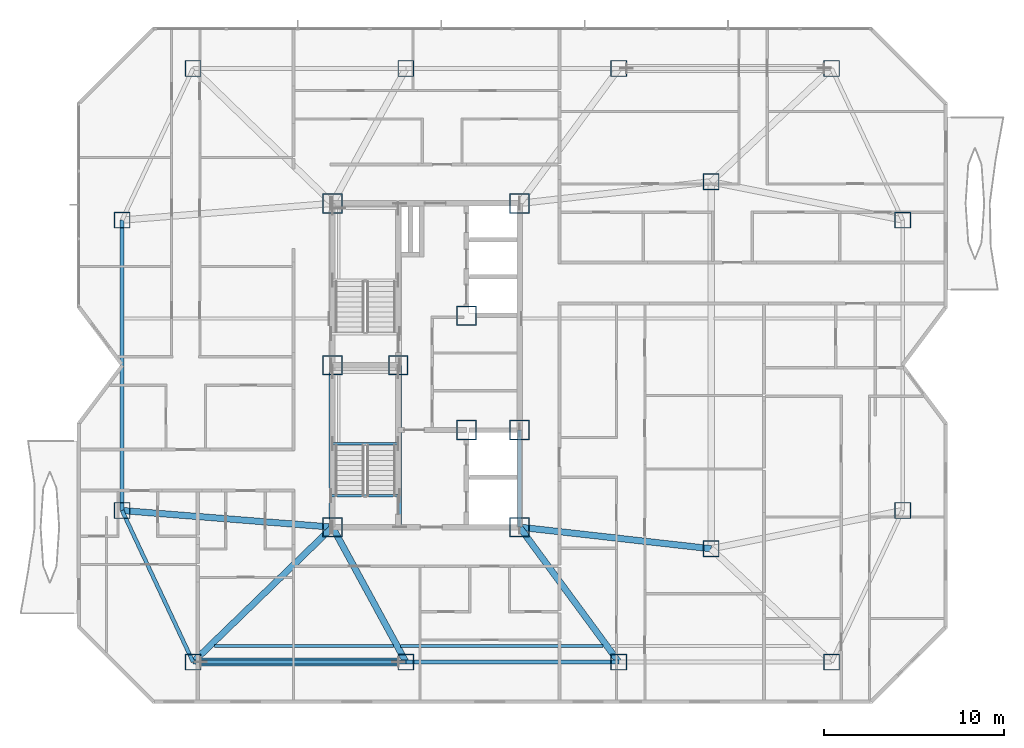
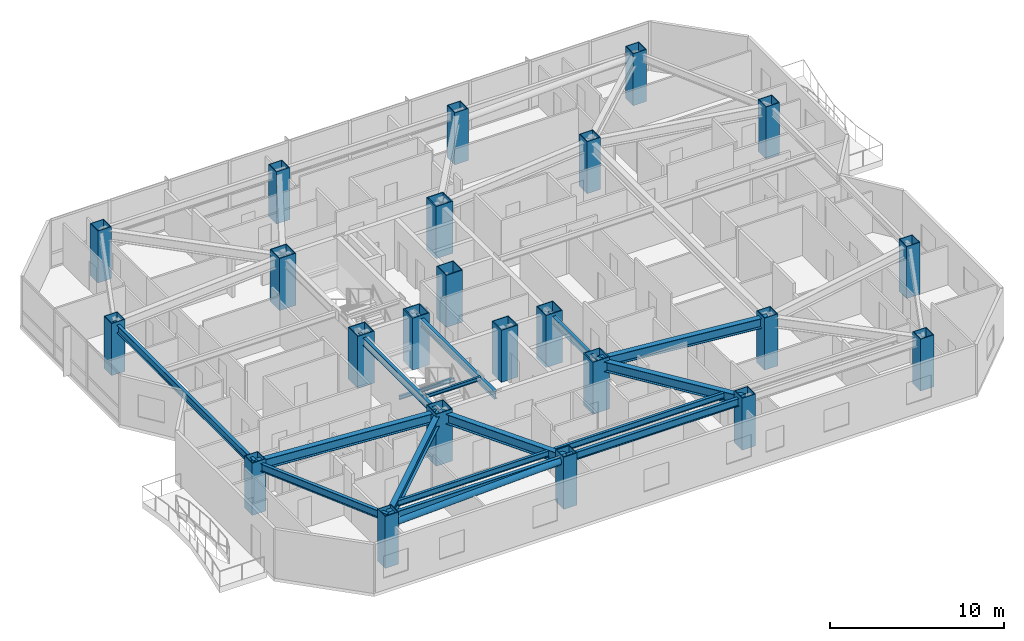
# One storey, part 1 of 21: 23 columns, 16 beams, 1 member.
"""IFC4 building model written with IfcOpenShell, lengths in metres."""

from ifc_helpers import new_model, si_unit, direction, frame, origin, origin_2d, place, context, subcontext, project, spatial, hollow_rectangle, hollow_circle, i_section, extrude, material, material_profile, profile_set, type_object, element, save


model = new_model("IFC4")

# Units and contexts
model_context = context("Model", 3, precision=1e-05, world=origin(), true_north=direction((0.0, 1.0)))
body_context = subcontext(model_context, "Body", "Model", "MODEL_VIEW")
ifc_project = project(units=[si_unit("LENGTHUNIT", "METRE"), si_unit("AREAUNIT", "SQUARE_METRE"), si_unit("VOLUMEUNIT", "CUBIC_METRE"), si_unit("PLANEANGLEUNIT", "RADIAN"), si_unit("MASSUNIT", "GRAM", prefix="KILO")], contexts=[model_context])

# Site, building, storey
site_placement = place(None, origin())
site = spatial("IfcSite", under=ifc_project, at=site_placement, CompositionType="ELEMENT")
building_placement = place(site_placement, origin())
building = spatial("IfcBuilding", under=site, at=building_placement, Name="Khamvora Tower", CompositionType="ELEMENT")
storey_placement = place(building_placement, frame((0.0, 0.0, 159.550048828125)))
storey = spatial("IfcBuildingStorey", under=building, at=storey_placement, Name="L40", CompositionType="ELEMENT", Elevation=159.550048828125)

# Columns
ifc_material_1 = material(Name="Steel S460", Category="steel")
ifc_material_profile_1 = material_profile(ifc_material_1, hollow_rectangle(XDim=1.10009765625, YDim=1.10009765625, WallThickness=0.054931640625, at=origin_2d()), Name="BOX1100x1100x55")
ifc_profile_set_1 = profile_set([ifc_material_profile_1], Name="Steel S460")
column_type_1 = type_object("IfcColumnType", Name="COL-BOX1100", PredefinedType="COLUMN", material=ifc_profile_set_1)
for number, where, z_axis, x_axis, name in (
    (1, (29.0, 19.0, 0.0), (0.0, 0.0, 1.0), (1.0, 0.0, 0.0), "L40 plumb core spine column SC1"),
    (2, (32.64990234375, 28.0, 0.0), (0.0, 0.0, 1.0), (1.0, 0.0, 0.0), "L40 plumb core spine column SC2"),
    (3, (39.39990234375, 19.0, 0.0), (0.0, 0.0, 1.0), (1.0, 0.0, 0.0), "L40 plumb core spine column SC3"),
    (4, (29.0, 28.0, 0.0), (0.0, 0.0, 1.0), (1.0, 0.0, 0.0), "L40 plumb core spine column SC4"),
    (5, (36.449951171875, 24.39990234375, 0.0), (0.0, 0.0, 1.0), (1.0, 0.0, 0.0), "L40 plumb core spine column SC5"),
    (6, (39.39990234375, 24.39990234375, 0.0), (0.0, 0.0, 1.0), (1.0, 0.0, 0.0), "L40 plumb core spine column SC6"),
    (7, (29.0, 37.0, 0.0), (0.0, 0.0, 1.0), (1.0, 0.0, 0.0), "L40 plumb core spine column SC7"),
    (8, (36.449951171875, 30.75, 0.0), (0.0, 0.0, 1.0), (1.0, 0.0, 0.0), "L40 plumb core spine column SC8"),
    (9, (39.39990234375, 37.0, 0.0), (0.0, 0.0, 1.0), (1.0, 0.0, 0.0), "L40 plumb core spine column SC9"),
):
    element("IfcColumn", number, at=place(storey_placement, frame(where, z_axis=z_axis, x_axis=x_axis)), inside=storey, type_object=column_type_1, Name=name, PredefinedType="COLUMN", context=body_context, shape_type="SweptSolid", body=[
        extrude(hollow_rectangle(XDim=1.10009765625, YDim=1.10009765625, WallThickness=0.054931640625, at=origin_2d()), origin(), (0.0, 0.0, 1.0), 3.64990234375),
    ])
ifc_material_2 = material(Name="Steel S355", Category="steel")
ifc_material_profile_2 = material_profile(ifc_material_2, hollow_rectangle(XDim=0.89990234375, YDim=0.89990234375, WallThickness=0.044921875, at=origin_2d()), Name="BOX900x900x45")
ifc_profile_set_2 = profile_set([ifc_material_profile_2], Name="Steel S355")
column_type_2 = type_object("IfcColumnType", Name="COL-BOX900", PredefinedType="COLUMN", material=ifc_profile_set_2)
for number, where, z_axis, x_axis, name in (
    (10, (21.25, 11.5, 0.0), (0.0, 0.0, 1.0), (1.0, 0.0, 0.0), "L40 structural frame column S1"),
    (11, (33.0830078125, 11.5, 0.0), (0.0, 0.0, 1.0), (1.0, 0.0, 0.0), "L40 structural frame column S2"),
    (12, (44.9169921875, 11.5, 0.0), (0.0, 0.0, 1.0), (1.0, 0.0, 0.0), "L40 structural frame column S3"),
    (13, (56.75, 11.5, 0.0), (0.0, 0.0, 1.0), (1.0, 0.0, 0.0), "L40 structural frame column S4"),
    (14, (21.25, 44.5, 0.0), (0.0, 0.0, 1.0), (1.0, 0.0, 0.0), "L40 structural frame column N1"),
    (15, (33.0830078125, 44.5, 0.0), (0.0, 0.0, 1.0), (1.0, 0.0, 0.0), "L40 structural frame column N2"),
    (16, (44.9169921875, 44.5, 0.0), (0.0, 0.0, 1.0), (1.0, 0.0, 0.0), "L40 structural frame column N3"),
    (17, (56.75, 44.5, 0.0), (0.0, 0.0, 1.0), (1.0, 0.0, 0.0), "L40 structural frame column N4"),
    (18, (17.300048828125, 19.925048828125, 0.0), (0.0, 0.0, 1.0), (1.0, 0.0, 0.0), "L40 structural frame column W1"),
    (19, (17.300048828125, 36.074951171875, 0.0), (0.0, 0.0, 1.0), (1.0, 0.0, 0.0), "L40 structural frame column W2"),
    (20, (60.699951171875, 19.925048828125, 0.0), (0.0, 0.0, 1.0), (1.0, 0.0, 0.0), "L40 structural frame column E1"),
    (21, (60.699951171875, 36.074951171875, 0.0), (0.0, 0.0, 1.0), (1.0, 0.0, 0.0), "L40 structural frame column E2"),
    (22, (50.050048828125, 17.800048828125, 0.0), (0.0, 0.0, 1.0), (1.0, 0.0, 0.0), "L40 structural frame column M1"),
    (23, (50.050048828125, 38.199951171875, 0.0), (0.0, 0.0, 1.0), (1.0, 0.0, 0.0), "L40 structural frame column M2"),
):
    element("IfcColumn", number, at=place(storey_placement, frame(where, z_axis=z_axis, x_axis=x_axis)), inside=storey, type_object=column_type_2, Name=name, PredefinedType="COLUMN", context=body_context, shape_type="SweptSolid", body=[
        extrude(hollow_rectangle(XDim=0.89990234375, YDim=0.89990234375, WallThickness=0.044921875, at=origin_2d()), origin(), (0.0, 0.0, 1.0), 3.64990234375),
    ])

# Beams
ifc_material_profile_3 = material_profile(ifc_material_2, i_section(OverallWidth=0.177978515625, OverallDepth=0.406982421875, WebThickness=0.008056640625, FlangeThickness=0.012939453125, FilletRadius=0.010009765625, at=origin_2d()), Name="W410x60")
ifc_profile_set_3 = profile_set([ifc_material_profile_3], Name="Steel S355")
beam_type_1 = type_object("IfcBeamType", Name="BM-JS-W410x60", PredefinedType="JOIST", material=ifc_profile_set_3)
beam_1_placement = place(storey_placement, frame((22.429931640625, 12.39990234375, 3.225830078125), z_axis=(1.0, 0.0, 0.0), x_axis=(0.0, 1.0, 0.0)))
element("IfcBeam", 24, at=beam_1_placement, inside=storey, type_object=beam_type_1, Name="L40 secondary floor joist 01", PredefinedType="JOIST", context=body_context, shape_type="SweptSolid", body=[
    extrude(i_section(OverallWidth=0.177978515625, OverallDepth=0.406982421875, WebThickness=0.008056640625, FlangeThickness=0.012939453125, FilletRadius=0.010009765625, at=origin_2d()), origin(), (0.0, 0.0, 1.0), 9.966064453125),
])
beam_2_placement = place(storey_placement, frame((32.7900390625, 12.39990234375, 3.225830078125), z_axis=(1.0, 0.0, 0.0), x_axis=(0.0, 1.0, 0.0)))
element("IfcBeam", 25, at=beam_2_placement, inside=storey, type_object=beam_type_1, Name="L40 secondary floor joist 02", PredefinedType="JOIST", context=body_context, shape_type="SweptSolid", body=[
    extrude(i_section(OverallWidth=0.177978515625, OverallDepth=0.406982421875, WebThickness=0.008056640625, FlangeThickness=0.012939453125, FilletRadius=0.010009765625, at=origin_2d()), origin(), (0.0, 0.0, 1.0), 11.25),
])
ifc_material_profile_4 = material_profile(ifc_material_2, i_section(OverallWidth=0.14697265625, OverallDepth=0.261962890625, WebThickness=0.007080078125, FlangeThickness=0.010986328125, FilletRadius=0.008056640625, at=origin_2d()), Name="W250x39")
ifc_profile_set_4 = profile_set([ifc_material_profile_4], Name="Steel S355")
beam_type_2 = type_object("IfcBeamType", Name="BM-LN-W250x39", PredefinedType="LINTEL", material=ifc_profile_set_4)
beam_3_placement = place(storey_placement, frame((29.0, 23.635009765625, 1.493896484375), z_axis=(1.0, 0.0, 0.0), x_axis=(0.0, 1.0, 0.0)))
element("IfcBeam", 26, at=beam_3_placement, inside=storey, type_object=beam_type_2, Name="L40 ST-01 half-landing support beam 1.1", PredefinedType="LINTEL", context=body_context, shape_type="SweptSolid", body=[
    extrude(i_section(OverallWidth=0.14697265625, OverallDepth=0.261962890625, WebThickness=0.007080078125, FlangeThickness=0.010986328125, FilletRadius=0.008056640625, at=origin_2d()), origin(), (0.0, 0.0, 1.0), 3.64990234375),
])
beam_4_placement = place(storey_placement, frame((28.89990234375, 20.75, 3.303955078125), z_axis=(1.0, 0.0, 0.0), x_axis=(0.0, 1.0, 0.0)))
element("IfcBeam", 27, at=beam_4_placement, inside=storey, type_object=beam_type_2, Name="L40 exit stair ST-01 landing trimmer beam", PredefinedType="LINTEL", context=body_context, shape_type="SweptSolid", body=[
    extrude(i_section(OverallWidth=0.14697265625, OverallDepth=0.261962890625, WebThickness=0.007080078125, FlangeThickness=0.010986328125, FilletRadius=0.008056640625, at=origin_2d()), origin(), (0.0, 0.0, 1.0), 3.830078125),
])
ifc_material_profile_5 = material_profile(ifc_material_2, i_section(OverallWidth=0.35498046875, OverallDepth=0.695068359375, WebThickness=0.014892578125, FlangeThickness=0.02490234375, FilletRadius=0.01611328125, at=origin_2d()), Name="W690x217")
ifc_profile_set_5 = profile_set([ifc_material_profile_5], Name="Steel S355")
beam_type_3 = type_object("IfcBeamType", Name="BM-PG-W690x217", PredefinedType="BEAM", material=ifc_profile_set_5)
beam_5_placement = place(storey_placement, frame((29.0, 19.0, 3.08203125), z_axis=(-0.718602141767, -0.695421427516, 0.0), x_axis=(0.695421427516, -0.718602141767, 0.0)))
element("IfcBeam", 28, at=beam_5_placement, inside=storey, type_object=beam_type_3, Name="L40 primary floor girder S1", PredefinedType="BEAM", context=body_context, shape_type="SweptSolid", body=[
    extrude(i_section(OverallWidth=0.35498046875, OverallDepth=0.695068359375, WebThickness=0.014892578125, FlangeThickness=0.02490234375, FilletRadius=0.01611328125, at=origin_2d()), origin(), (0.0, 0.0, 1.0), 10.784912109375),
])
beam_6_placement = place(storey_placement, frame((29.0, 19.0, 3.08203125), z_axis=(0.478138862063, -0.878284252725, 0.0), x_axis=(0.878284252725, 0.478138862063, 0.0)))
element("IfcBeam", 29, at=beam_6_placement, inside=storey, type_object=beam_type_3, Name="L40 primary floor girder S2", PredefinedType="BEAM", context=body_context, shape_type="SweptSolid", body=[
    extrude(i_section(OverallWidth=0.35498046875, OverallDepth=0.695068359375, WebThickness=0.014892578125, FlangeThickness=0.02490234375, FilletRadius=0.01611328125, at=origin_2d()), origin(), (0.0, 0.0, 1.0), 8.539306640625),
])
beam_7_placement = place(storey_placement, frame((39.39990234375, 19.0, 3.08203125), z_axis=(0.592556630955, -0.805528794713, 0.0), x_axis=(0.805528794713, 0.592556630955, 0.0)))
element("IfcBeam", 30, at=beam_7_placement, inside=storey, type_object=beam_type_3, Name="L40 primary floor girder S3", PredefinedType="BEAM", context=body_context, shape_type="SweptSolid", body=[
    extrude(i_section(OverallWidth=0.35498046875, OverallDepth=0.695068359375, WebThickness=0.014892578125, FlangeThickness=0.02490234375, FilletRadius=0.01611328125, at=origin_2d()), origin(), (0.0, 0.0, 1.0), 9.310546875),
])
beam_8_placement = place(storey_placement, frame((29.0, 19.0, 3.08203125), z_axis=(-0.996888993668, 0.078818362728, 0.0), x_axis=(-0.078818362728, -0.996888993668, 0.0)))
element("IfcBeam", 31, at=beam_8_placement, inside=storey, type_object=beam_type_3, Name="L40 primary floor girder W1", PredefinedType="BEAM", context=body_context, shape_type="SweptSolid", body=[
    extrude(i_section(OverallWidth=0.35498046875, OverallDepth=0.695068359375, WebThickness=0.014892578125, FlangeThickness=0.02490234375, FilletRadius=0.01611328125, at=origin_2d()), origin(), (0.0, 0.0, 1.0), 11.736572265625),
])
beam_9_placement = place(storey_placement, frame((39.39990234375, 19.0, 3.08203125), z_axis=(0.993712543569, -0.111961514606, 0.0), x_axis=(0.111961514606, 0.993712543569, 0.0)))
element("IfcBeam", 32, at=beam_9_placement, inside=storey, type_object=beam_type_3, Name="L40 primary floor girder M1", PredefinedType="BEAM", context=body_context, shape_type="SweptSolid", body=[
    extrude(i_section(OverallWidth=0.35498046875, OverallDepth=0.695068359375, WebThickness=0.014892578125, FlangeThickness=0.02490234375, FilletRadius=0.01611328125, at=origin_2d()), origin(), (0.0, 0.0, 1.0), 10.717529296875),
])
ifc_material_profile_6 = material_profile(ifc_material_2, i_section(OverallWidth=0.2119140625, OverallDepth=0.5439453125, WebThickness=0.012939453125, FlangeThickness=0.02099609375, FilletRadius=0.013916015625, at=origin_2d()), Name="W530x123")
ifc_profile_set_6 = profile_set([ifc_material_profile_6], Name="Steel S355")
beam_type_4 = type_object("IfcBeamType", Name="BM-SP-W530x123", PredefinedType="SPANDREL", material=ifc_profile_set_6)
beam_10_placement = place(storey_placement, frame((17.300048828125, 19.925048828125, 3.157958984375), z_axis=(0.424496391454, -0.905429629315, 0.0), x_axis=(0.905429629315, 0.424496391454, 0.0)))
element("IfcBeam", 33, at=beam_10_placement, inside=storey, type_object=beam_type_4, Name="L40 perimeter spandrel beam W1-S1", PredefinedType="SPANDREL", context=body_context, shape_type="SweptSolid", body=[
    extrude(i_section(OverallWidth=0.2119140625, OverallDepth=0.5439453125, WebThickness=0.012939453125, FlangeThickness=0.02099609375, FilletRadius=0.013916015625, at=origin_2d()), origin(), (0.0, 0.0, 1.0), 9.304931640625),
])
beam_11_placement = place(storey_placement, frame((21.25, 11.5, 3.157958984375), z_axis=(1.0, 0.0, 0.0), x_axis=(0.0, 1.0, 0.0)))
element("IfcBeam", 34, at=beam_11_placement, inside=storey, type_object=beam_type_4, Name="L40 perimeter spandrel beam S1-S2", PredefinedType="SPANDREL", context=body_context, shape_type="SweptSolid", body=[
    extrude(i_section(OverallWidth=0.2119140625, OverallDepth=0.5439453125, WebThickness=0.012939453125, FlangeThickness=0.02099609375, FilletRadius=0.013916015625, at=origin_2d()), origin(), (0.0, 0.0, 1.0), 11.8330078125),
])
beam_12_placement = place(storey_placement, frame((33.0830078125, 11.5, 3.157958984375), z_axis=(1.0, 0.0, 0.0), x_axis=(0.0, 1.0, 0.0)))
element("IfcBeam", 35, at=beam_12_placement, inside=storey, type_object=beam_type_4, Name="L40 perimeter spandrel beam S2-S3", PredefinedType="SPANDREL", context=body_context, shape_type="SweptSolid", body=[
    extrude(i_section(OverallWidth=0.2119140625, OverallDepth=0.5439453125, WebThickness=0.012939453125, FlangeThickness=0.02099609375, FilletRadius=0.013916015625, at=origin_2d()), origin(), (0.0, 0.0, 1.0), 11.833984375),
])
beam_13_placement = place(storey_placement, frame((17.300048828125, 36.074951171875, 3.157958984375), z_axis=(0.0, -1.0, 0.0), x_axis=(1.0, 0.0, 0.0)))
element("IfcBeam", 36, at=beam_13_placement, inside=storey, type_object=beam_type_4, Name="L40 perimeter spandrel beam W2-W1", PredefinedType="SPANDREL", context=body_context, shape_type="SweptSolid", body=[
    extrude(i_section(OverallWidth=0.2119140625, OverallDepth=0.5439453125, WebThickness=0.012939453125, FlangeThickness=0.02099609375, FilletRadius=0.013916015625, at=origin_2d()), origin(), (0.0, 0.0, 1.0), 16.14990234375),
])
ifc_material_profile_7 = material_profile(ifc_material_2, i_section(OverallWidth=0.208984375, OverallDepth=0.532958984375, WebThickness=0.010009765625, FlangeThickness=0.01611328125, FilletRadius=0.013916015625, at=origin_2d()), Name="W530x92")
ifc_profile_set_7 = profile_set([ifc_material_profile_7], Name="Steel S355")
beam_type_5 = type_object("IfcBeamType", Name="BM-SP-W530x92", PredefinedType="SPANDREL", material=ifc_profile_set_7)
for number, where, z_axis, x_axis, name in (
    (37, (28.89990234375, 19.0, 3.162841796875), (0.0, 1.0, 0.0), (-1.0, 0.0, 0.0), "L40 core spine girder WS"),
    (38, (32.72998046875, 19.0, 3.162841796875), (0.0, 1.0, 0.0), (-1.0, 0.0, 0.0), "L40 core spine girder M1S"),
):
    element("IfcBeam", number, at=place(storey_placement, frame(where, z_axis=z_axis, x_axis=x_axis)), inside=storey, type_object=beam_type_5, Name=name, PredefinedType="SPANDREL", context=body_context, shape_type="SweptSolid", body=[
        extrude(i_section(OverallWidth=0.208984375, OverallDepth=0.532958984375, WebThickness=0.010009765625, FlangeThickness=0.01611328125, FilletRadius=0.013916015625, at=origin_2d()), origin(), (0.0, 0.0, 1.0), 9.0),
    ])
beam_14_placement = place(storey_placement, frame((39.39990234375, 19.0, 3.162841796875), z_axis=(0.0, 1.0, 0.0), x_axis=(-1.0, 0.0, 0.0)))
element("IfcBeam", 39, at=beam_14_placement, inside=storey, type_object=beam_type_5, Name="L40 core spine girder ES", PredefinedType="SPANDREL", context=body_context, shape_type="SweptSolid", body=[
    extrude(i_section(OverallWidth=0.208984375, OverallDepth=0.532958984375, WebThickness=0.010009765625, FlangeThickness=0.01611328125, FilletRadius=0.013916015625, at=origin_2d()), origin(), (0.0, 0.0, 1.0), 5.39990234375),
])

# Member
ifc_material_profile_8 = material_profile(ifc_material_2, hollow_circle(Radius=0.228515625, WallThickness=0.02001953125, at=origin_2d()), Name="CHS457x20")
ifc_profile_set_8 = profile_set([ifc_material_profile_8], Name="Steel S355")
member_type = type_object("IfcMemberType", Name="MEM-BR-CHS457", PredefinedType="BRACE", material=ifc_profile_set_8)
member_placement = place(storey_placement, frame((21.679931640625, 11.5, 2.697998046875), z_axis=(0.999174860809, 0.0, 0.040615237634), x_axis=(0.0, 1.0, 0.0)))
element("IfcMember", 40, at=member_placement, inside=storey, type_object=member_type, Name="L40 perimeter wind brace 1", PredefinedType="BRACE", context=body_context, shape_type="SweptSolid", body=[
    extrude(hollow_circle(Radius=0.228515625, WallThickness=0.02001953125, at=origin_2d()), origin(), (0.0, 0.0, 1.0), 10.982177734375),
])

save(model, "model.ifc")
